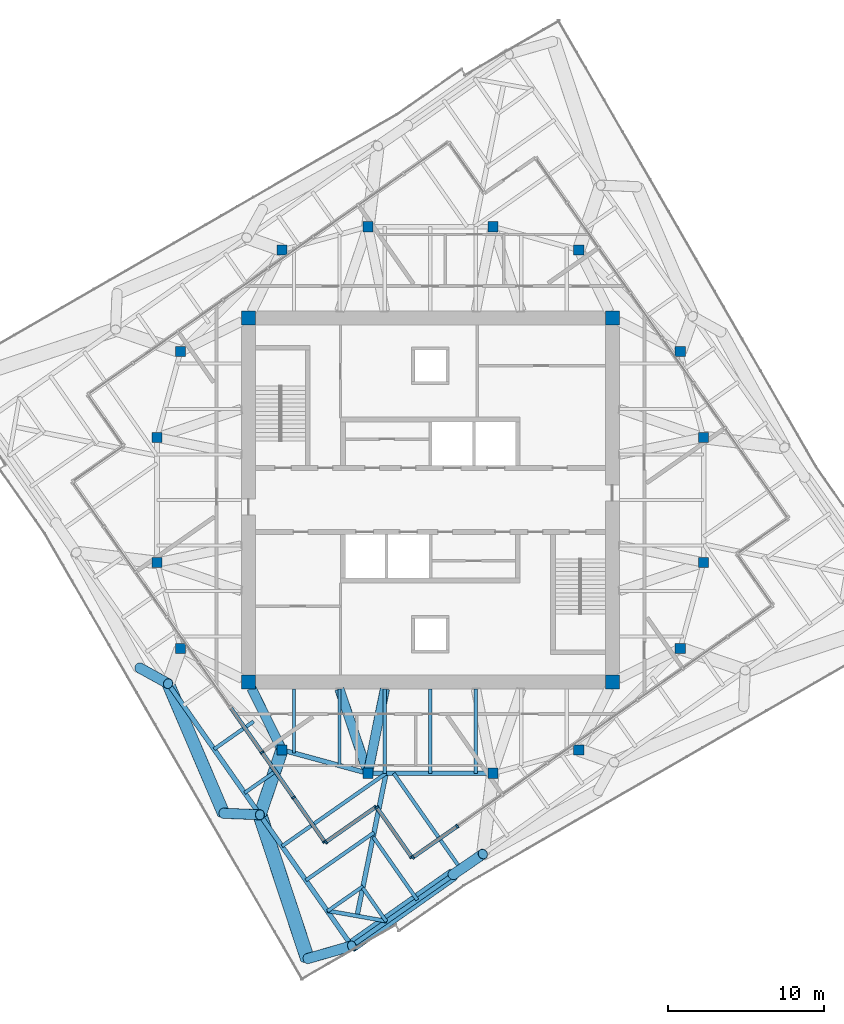
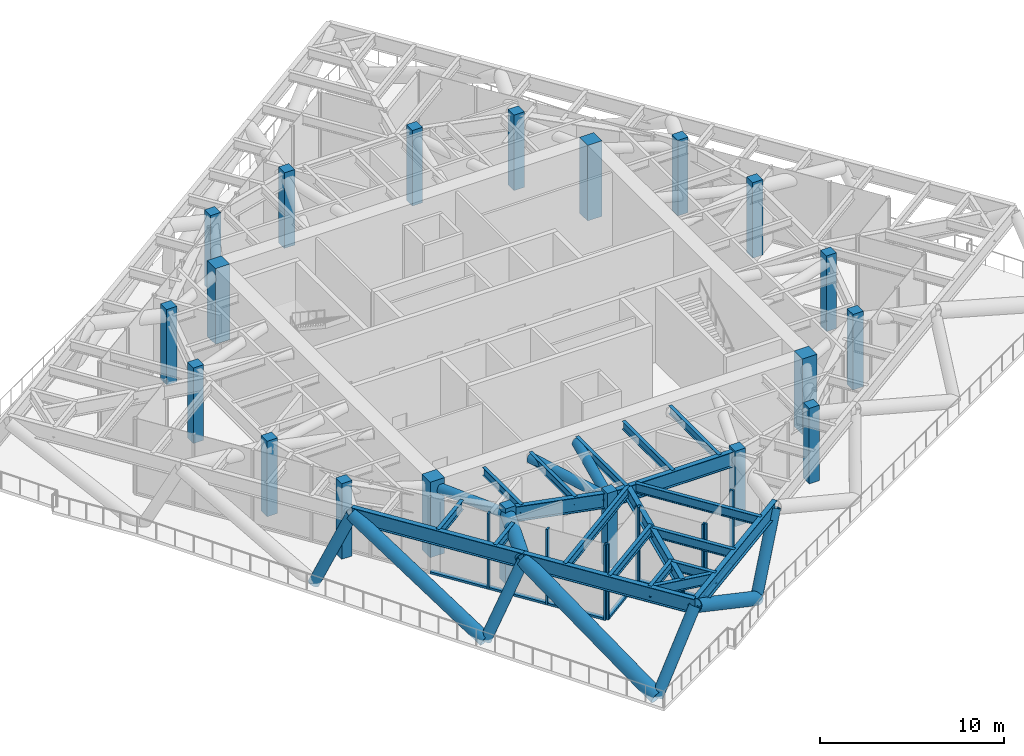
# One storey, part 1 of 16: 26 members, 20 beams, 20 columns, 4 elements without a shape of their own.
"""IFC4 building model written with IfcOpenShell, lengths in metres."""

from ifc_helpers import new_model, si_unit, direction, frame, origin, origin_2d, place, context, subcontext, project, spatial, rectangle, hollow_circle, i_section, extrude, material, material_profile, profile_set, type_object, element, aggregate, save


model = new_model("IFC4")

# Units and contexts
model_context = context("Model", 3, precision=1e-05, world=origin(), true_north=direction((0.0, 1.0)))
body_context = subcontext(model_context, "Body", "Model", "MODEL_VIEW")
ifc_project = project(units=[si_unit("LENGTHUNIT", "METRE"), si_unit("AREAUNIT", "SQUARE_METRE"), si_unit("VOLUMEUNIT", "CUBIC_METRE"), si_unit("PLANEANGLEUNIT", "RADIAN"), si_unit("MASSUNIT", "GRAM", prefix="KILO")], contexts=[model_context])

# Site, building, storey
site_placement = place(None, origin())
site = spatial("IfcSite", under=ifc_project, at=site_placement, CompositionType="ELEMENT")
building_placement = place(site_placement, origin())
building = spatial("IfcBuilding", under=site, at=building_placement, Name="Torsade Residences", CompositionType="ELEMENT")
storey_placement = place(building_placement, frame((0.0, 0.0, 235.39990234375)))
storey = spatial("IfcBuildingStorey", under=building, at=storey_placement, Name="L65", CompositionType="ELEMENT", Elevation=235.39990234375)

# Columns
ifc_material_1 = material(Name="Concrete 80 MPa", Category="concrete")
ifc_material_profile_1 = material_profile(ifc_material_1, rectangle(XDim=0.89990234375, YDim=0.89990234375, at=origin_2d()), Name="RC 900x900")
ifc_profile_set_1 = profile_set([ifc_material_profile_1], Name="Concrete 80 MPa")
column_type_1 = type_object("IfcColumnType", Name="CORE CORNER COLUMN RC 900x900", PredefinedType="COLUMN", material=ifc_profile_set_1)
for number, where, z_axis, x_axis, name in (
    (1, (28.35009765625, 18.35009765625, 0.0), (0.0, 0.0, 1.0), (1.0, 0.0, 0.0), "Core corner column CC1 L65"),
    (2, (51.64990234375, 18.35009765625, 0.0), (0.0, 0.0, 1.0), (1.0, 0.0, 0.0), "Core corner column CC2 L65"),
    (3, (51.64990234375, 41.64990234375, 0.0), (0.0, 0.0, 1.0), (1.0, 0.0, 0.0), "Core corner column CC3 L65"),
    (4, (28.35009765625, 41.64990234375, 0.0), (0.0, 0.0, 1.0), (1.0, 0.0, 0.0), "Core corner column CC4 L65"),
):
    element("IfcColumn", number, at=place(storey_placement, frame(where, z_axis=z_axis, x_axis=x_axis)), inside=storey, type_object=column_type_1, Name=name, PredefinedType="COLUMN", context=body_context, shape_type="SweptSolid", body=[
        extrude(rectangle(XDim=0.89990234375, YDim=0.89990234375, at=origin_2d()), origin(), (0.0, 0.0, 1.0), 5.0),
    ])
ifc_material_2 = material(Name="Concrete 80 MPa", Category="concrete")
ifc_material_profile_2 = material_profile(ifc_material_2, rectangle(XDim=0.64990234375, YDim=0.64990234375, at=origin_2d()), Name="RC 650x650")
ifc_profile_set_2 = profile_set([ifc_material_profile_2], Name="Concrete 80 MPa")
column_type_2 = type_object("IfcColumnType", Name="INNER RING COLUMN RC 650x650", PredefinedType="COLUMN", material=ifc_profile_set_2)
for number, where, z_axis, x_axis, name in (
    (5, (57.5, 26.0, 0.0), (0.0, 0.0, 1.0), (1.0, 0.0, 0.0), "Inner ring column IR01 L65"),
    (6, (57.5, 34.0, 0.0), (0.0, 0.0, 1.0), (1.0, 0.0, 0.0), "Inner ring column IR02 L65"),
    (7, (56.0, 39.5, 0.0), (0.0, 0.0, 1.0), (1.0, 0.0, 0.0), "Inner ring column IR03 L65"),
    (8, (49.5, 46.0, 0.0), (0.0, 0.0, 1.0), (1.0, 0.0, 0.0), "Inner ring column IR04 L65"),
    (9, (44.0, 47.5, 0.0), (0.0, 0.0, 1.0), (1.0, 0.0, 0.0), "Inner ring column IR05 L65"),
    (10, (36.0, 47.5, 0.0), (0.0, 0.0, 1.0), (1.0, 0.0, 0.0), "Inner ring column IR06 L65"),
    (11, (30.5, 46.0, 0.0), (0.0, 0.0, 1.0), (1.0, 0.0, 0.0), "Inner ring column IR07 L65"),
    (12, (24.0, 39.5, 0.0), (0.0, 0.0, 1.0), (1.0, 0.0, 0.0), "Inner ring column IR08 L65"),
    (13, (22.5, 34.0, 0.0), (0.0, 0.0, 1.0), (1.0, 0.0, 0.0), "Inner ring column IR09 L65"),
    (14, (22.5, 26.0, 0.0), (0.0, 0.0, 1.0), (1.0, 0.0, 0.0), "Inner ring column IR10 L65"),
    (15, (24.0, 20.5, 0.0), (0.0, 0.0, 1.0), (1.0, 0.0, 0.0), "Inner ring column IR11 L65"),
    (16, (30.5, 14.0, 0.0), (0.0, 0.0, 1.0), (1.0, 0.0, 0.0), "Inner ring column IR12 L65"),
    (17, (36.0, 12.5, 0.0), (0.0, 0.0, 1.0), (1.0, 0.0, 0.0), "Inner ring column IR13 L65"),
    (18, (44.0, 12.5, 0.0), (0.0, 0.0, 1.0), (1.0, 0.0, 0.0), "Inner ring column IR14 L65"),
    (19, (49.5, 14.0, 0.0), (0.0, 0.0, 1.0), (1.0, 0.0, 0.0), "Inner ring column IR15 L65"),
    (20, (56.0, 20.5, 0.0), (0.0, 0.0, 1.0), (1.0, 0.0, 0.0), "Inner ring column IR16 L65"),
):
    element("IfcColumn", number, at=place(storey_placement, frame(where, z_axis=z_axis, x_axis=x_axis)), inside=storey, type_object=column_type_2, Name=name, PredefinedType="COLUMN", context=body_context, shape_type="SweptSolid", body=[
        extrude(rectangle(XDim=0.64990234375, YDim=0.64990234375, at=origin_2d()), origin(), (0.0, 0.0, 1.0), 5.0),
    ])

# Beams
ifc_material_3 = material(Name="Steel grade 300", Category="steel")
ifc_material_profile_3 = material_profile(ifc_material_3, i_section(OverallWidth=0.300048828125, OverallDepth=0.89990234375, WebThickness=0.011962890625, FlangeThickness=0.02490234375, at=origin_2d()), Name="900WB175")
ifc_profile_set_3 = profile_set([ifc_material_profile_3], Name="Steel grade 300")
beam_type_1 = type_object("IfcBeamType", Name="CORNER GIRDER 900WB175", PredefinedType="BEAM", material=ifc_profile_set_3)
beam_1_placement = place(storey_placement, frame((35.303466796875, 3.364013671875, 4.400146484375), z_axis=(0.199584461589, 0.979880626756, 0.0), x_axis=(-0.979880626756, 0.199584461589, 0.0)))
element("IfcBeam", 21, at=beam_1_placement, inside=storey, type_object=beam_type_1, Name="Corner girder 01 L66", PredefinedType="BEAM", context=body_context, shape_type="SweptSolid", body=[
    extrude(i_section(OverallWidth=0.300048828125, OverallDepth=0.89990234375, WebThickness=0.011962890625, FlangeThickness=0.02490234375, at=origin_2d()), origin(), (0.0, 0.0, 1.0), 9.323486328125),
])
ifc_material_4 = material(Name="Steel grade 300", Category="steel")
ifc_material_profile_4 = material_profile(ifc_material_4, i_section(OverallWidth=0.25, OverallDepth=0.699951171875, WebThickness=0.010009765625, FlangeThickness=0.02001953125, at=origin_2d()), Name="700WB130")
ifc_profile_set_4 = profile_set([ifc_material_profile_4], Name="Steel grade 300")
beam_type_2 = type_object("IfcBeamType", Name="CORNER TRIMMER 700WB130", PredefinedType="BEAM", material=ifc_profile_set_4)
beam_2_placement = place(storey_placement, frame((37.21826171875, 3.0263671875, 4.5), z_axis=(-0.984808196894, 0.173645660267, 0.0), x_axis=(-0.173645660267, -0.984808196894, 0.0)))
element("IfcBeam", 22, at=beam_2_placement, inside=storey, type_object=beam_type_2, Name="Corner trimmer 01 L66", PredefinedType="BEAM", context=body_context, shape_type="SweptSolid", body=[
    extrude(i_section(OverallWidth=0.25, OverallDepth=0.699951171875, WebThickness=0.010009765625, FlangeThickness=0.02001953125, at=origin_2d()), origin(), (0.0, 0.0, 1.0), 3.888916015625),
])

# Curtain wall, members
ifc_material_5 = material(Name="Aluminium and glass", Category="aluminium")
curtain_wall_type = type_object("IfcCurtainWallType", Name="TRANSFER LEVEL CURTAIN WALL HIGH ZONE", PredefinedType="NOTDEFINED", material=ifc_material_5)
curtain_wall_1_placement = place(storey_placement, origin())
curtain_wall_1 = element("IfcCurtainWall", 23, at=curtain_wall_1_placement, inside=storey, type_object=curtain_wall_type, Name="Curtain wall L65 face 1", PredefinedType="NOTDEFINED")
ifc_material_6 = material(Name="Aluminium mullion", Category="aluminium")
ifc_material_profile_5 = material_profile(ifc_material_6, rectangle(XDim=0.25, YDim=0.1201171875, at=origin_2d()), Name="HIGH ZONE TRANSFER CURTAIN WALL MULLION 250x120")
ifc_profile_set_5 = profile_set([ifc_material_profile_5], Name="Aluminium mullion")
member_type_1 = type_object("IfcMemberType", Name="HIGH ZONE TRANSFER CURTAIN WALL MULLION 250x120", PredefinedType="MULLION", material=ifc_profile_set_5)
member_1_placement = place(storey_placement, frame((38.880859375, 7.120361328125, 0.0), z_axis=(0.0, 0.0, 1.0), x_axis=(-0.57357645894, 0.819152028472, 0.0)))
member_1 = element("IfcMember", 24, at=member_1_placement, type_object=member_type_1, Name="Mullion 1", PredefinedType="MULLION", context=body_context, shape_type="SweptSolid", body=[
    extrude(rectangle(XDim=0.25, YDim=0.1201171875, at=origin_2d()), origin(), (0.0, 0.0, 1.0), 5.0),
])
member_2_placement = place(storey_placement, frame((41.71923828125, 9.107666015625, 0.0), z_axis=(0.0, 0.0, 1.0), x_axis=(-0.57357645894, 0.819152028472, 0.0)))
member_2 = element("IfcMember", 25, at=member_2_placement, type_object=member_type_1, Name="Mullion 2", PredefinedType="MULLION", context=body_context, shape_type="SweptSolid", body=[
    extrude(rectangle(XDim=0.25, YDim=0.1201171875, at=origin_2d()), origin(), (0.0, 0.0, 1.0), 5.0),
])

curtain_wall_2_placement = place(storey_placement, origin())
curtain_wall_2 = element("IfcCurtainWall", 26, at=curtain_wall_2_placement, inside=storey, type_object=curtain_wall_type, Name="Curtain wall L65 face 10", PredefinedType="NOTDEFINED")
member_3_placement = place(storey_placement, frame((29.217041015625, 13.84326171875, 0.0), z_axis=(0.0, 0.0, 1.0), x_axis=(0.819152028472, 0.57357645894, 0.0)))
member_3 = element("IfcMember", 27, at=member_3_placement, type_object=member_type_1, Name="Mullion 7", PredefinedType="MULLION", context=body_context, shape_type="SweptSolid", body=[
    extrude(rectangle(XDim=0.25, YDim=0.1201171875, at=origin_2d()), origin(), (0.0, 0.0, 1.0), 5.0),
])
member_4_placement = place(storey_placement, frame((31.239013671875, 10.955810546875, 0.0), z_axis=(0.0, 0.0, 1.0), x_axis=(0.819152028472, 0.57357645894, 0.0)))
member_4 = element("IfcMember", 28, at=member_4_placement, type_object=member_type_1, Name="Mullion 8", PredefinedType="MULLION", context=body_context, shape_type="SweptSolid", body=[
    extrude(rectangle(XDim=0.25, YDim=0.1201171875, at=origin_2d()), origin(), (0.0, 0.0, 1.0), 5.0),
])
member_5_placement = place(storey_placement, frame((33.226318359375, 8.117431640625, 0.0), z_axis=(0.0, 0.0, 1.0), x_axis=(0.819152028472, 0.57357645894, 0.0)))
member_5 = element("IfcMember", 29, at=member_5_placement, type_object=member_type_1, Name="Mullion 9", PredefinedType="MULLION", context=body_context, shape_type="SweptSolid", body=[
    extrude(rectangle(XDim=0.25, YDim=0.1201171875, at=origin_2d()), origin(), (0.0, 0.0, 1.0), 5.0),
])

curtain_wall_3_placement = place(storey_placement, origin())
curtain_wall_3 = element("IfcCurtainWall", 30, at=curtain_wall_3_placement, inside=storey, type_object=curtain_wall_type, Name="Curtain wall L65 face 11", PredefinedType="NOTDEFINED")
member_6_placement = place(storey_placement, frame((33.309814453125, 8.1025390625, 0.0), z_axis=(0.0, 0.0, 1.0), x_axis=(-0.573576332112, 0.819152117278, 0.0)))
member_6 = element("IfcMember", 31, at=member_6_placement, type_object=member_type_1, Name="Mullion 1", PredefinedType="MULLION", context=body_context, shape_type="SweptSolid", body=[
    extrude(rectangle(XDim=0.25, YDim=0.1201171875, at=origin_2d()), origin(), (0.0, 0.0, 1.0), 5.0),
])
member_7_placement = place(storey_placement, frame((36.48828125, 10.328125, 0.0), z_axis=(0.0, 0.0, 1.0), x_axis=(-0.573576332112, 0.819152117278, 0.0)))
member_7 = element("IfcMember", 32, at=member_7_placement, type_object=member_type_1, Name="Mullion 2", PredefinedType="MULLION", context=body_context, shape_type="SweptSolid", body=[
    extrude(rectangle(XDim=0.25, YDim=0.1201171875, at=origin_2d()), origin(), (0.0, 0.0, 1.0), 5.0),
])

curtain_wall_4_placement = place(storey_placement, origin())
curtain_wall_4 = element("IfcCurtainWall", 33, at=curtain_wall_4_placement, inside=storey, type_object=curtain_wall_type, Name="Curtain wall L65 face 12", PredefinedType="NOTDEFINED")
member_8_placement = place(storey_placement, frame((36.57177734375, 10.3134765625, 0.0), z_axis=(0.0, 0.0, 1.0), x_axis=(0.819151999811, 0.573576499872, 0.0)))
member_8 = element("IfcMember", 34, at=member_8_placement, type_object=member_type_1, Name="Mullion 1", PredefinedType="MULLION", context=body_context, shape_type="SweptSolid", body=[
    extrude(rectangle(XDim=0.25, YDim=0.1201171875, at=origin_2d()), origin(), (0.0, 0.0, 1.0), 5.0),
])
member_9_placement = place(storey_placement, frame((38.79736328125, 7.135009765625, 0.0), z_axis=(0.0, 0.0, 1.0), x_axis=(0.819151999811, 0.573576499872, 0.0)))
member_9 = element("IfcMember", 35, at=member_9_placement, type_object=member_type_1, Name="Mullion 2", PredefinedType="MULLION", context=body_context, shape_type="SweptSolid", body=[
    extrude(rectangle(XDim=0.25, YDim=0.1201171875, at=origin_2d()), origin(), (0.0, 0.0, 1.0), 5.0),
])

# Member
ifc_material_7 = material(Name="Aluminium transom", Category="aluminium")
ifc_material_profile_6 = material_profile(ifc_material_7, rectangle(XDim=0.25, YDim=0.139892578125, at=origin_2d()), Name="HIGH ZONE TRANSFER CURTAIN WALL TRANSOM 250x140")
ifc_profile_set_6 = profile_set([ifc_material_profile_6], Name="Aluminium transom")
member_type_2 = type_object("IfcMemberType", Name="HIGH ZONE TRANSFER CURTAIN WALL TRANSOM 250x140", PredefinedType="USERDEFINED", material=ifc_profile_set_6)
member_10_placement = place(storey_placement, frame((38.929931640625, 7.15478515625, 0.070068359375), z_axis=(0.819190772146, 0.573521123265, 0.0), x_axis=(-0.573521123265, 0.819190772146, 0.0)))
member_10 = element("IfcMember", 36, at=member_10_placement, type_object=member_type_2, Name="Transom 1.1", ObjectType="TRANSOM", PredefinedType="USERDEFINED", context=body_context, shape_type="SweptSolid", body=[
    extrude(rectangle(XDim=0.25, YDim=0.139892578125, at=origin_2d()), origin(), (0.0, 0.0, 1.0), 3.344970703125),
])

aggregate(curtain_wall_1, [member_1, member_2, member_10])

member_11_placement = place(storey_placement, frame((27.229736328125, 16.681640625, 0.070068359375), z_axis=(0.573534524129, -0.819181389945, 0.0), x_axis=(0.819181389945, 0.573534524129, 0.0)))
member_11 = element("IfcMember", 37, at=member_11_placement, type_object=member_type_2, Name="Transom 6.1", ObjectType="TRANSOM", PredefinedType="USERDEFINED", context=body_context, shape_type="SweptSolid", body=[
    extrude(rectangle(XDim=0.25, YDim=0.139892578125, at=origin_2d()), origin(), (0.0, 0.0, 1.0), 3.405029296875),
])

member_12_placement = place(storey_placement, frame((29.25146484375, 13.794189453125, 0.070068359375), z_axis=(0.573582636552, -0.819147702826, 0.0), x_axis=(0.819147702826, 0.573582636552, 0.0)))
member_12 = element("IfcMember", 38, at=member_12_placement, type_object=member_type_2, Name="Transom 7.1", ObjectType="TRANSOM", PredefinedType="USERDEFINED", context=body_context, shape_type="SweptSolid", body=[
    extrude(rectangle(XDim=0.25, YDim=0.139892578125, at=origin_2d()), origin(), (0.0, 0.0, 1.0), 3.405029296875),
])

member_13_placement = place(storey_placement, frame((31.2734375, 10.906494140625, 0.070068359375), z_axis=(0.573555415158, -0.819166763085, 0.0), x_axis=(0.819166763085, 0.573555415158, 0.0)))
member_13 = element("IfcMember", 39, at=member_13_placement, type_object=member_type_2, Name="Transom 8.1", ObjectType="TRANSOM", PredefinedType="USERDEFINED", context=body_context, shape_type="SweptSolid", body=[
    extrude(rectangle(XDim=0.25, YDim=0.139892578125, at=origin_2d()), origin(), (0.0, 0.0, 1.0), 3.344970703125),
])

aggregate(curtain_wall_2, [member_3, member_4, member_5, member_11, member_12, member_13])

member_14_placement = place(storey_placement, frame((33.359130859375, 8.136962890625, 0.070068359375), z_axis=(0.8191251379, 0.573614860738, 0.0), x_axis=(-0.573614860738, 0.8191251379, 0.0)))
member_14 = element("IfcMember", 40, at=member_14_placement, type_object=member_type_2, Name="Transom 1.1", ObjectType="TRANSOM", PredefinedType="USERDEFINED", context=body_context, shape_type="SweptSolid", body=[
    extrude(rectangle(XDim=0.25, YDim=0.139892578125, at=origin_2d()), origin(), (0.0, 0.0, 1.0), 3.760009765625),
])

aggregate(curtain_wall_3, [member_6, member_7, member_14])

member_15_placement = place(storey_placement, frame((36.606201171875, 10.26416015625, 0.070068359375), z_axis=(0.573614860738, -0.8191251379, 0.0), x_axis=(0.8191251379, 0.573614860738, 0.0)))
member_15 = element("IfcMember", 41, at=member_15_placement, type_object=member_type_2, Name="Transom 1.1", ObjectType="TRANSOM", PredefinedType="USERDEFINED", context=body_context, shape_type="SweptSolid", body=[
    extrude(rectangle(XDim=0.25, YDim=0.139892578125, at=origin_2d()), origin(), (0.0, 0.0, 1.0), 3.760009765625),
])

aggregate(curtain_wall_4, [member_8, member_9, member_15])

# Beams
ifc_material_8 = material(Name="Steel grade 300", Category="steel")
ifc_material_profile_7 = material_profile(ifc_material_8, i_section(OverallWidth=0.208984375, OverallDepth=0.528076171875, WebThickness=0.009521484375, FlangeThickness=0.01318359375, FilletRadius=0.013916015625, at=origin_2d()), Name="530UB82.0")
ifc_profile_set_7 = profile_set([ifc_material_profile_7], Name="Steel grade 300")
beam_type_3 = type_object("IfcBeamType", Name="INNER FLOOR BEAM 530UB82.0", PredefinedType="JOIST", material=ifc_profile_set_7)
for number, where, z_axis, x_axis, name in (
    (42, (42.91259765625, 17.89990234375, 4.586181640625), (0.0, -1.0, 0.0), (1.0, 0.0, 0.0), "Inner floor beam IS03 L66"),
    (43, (40.0, 17.89990234375, 4.586181640625), (0.0, -1.0, 0.0), (1.0, 0.0, 0.0), "Inner floor beam IS04 L66"),
    (44, (37.08740234375, 17.89990234375, 4.586181640625), (0.0, -1.0, 0.0), (1.0, 0.0, 0.0), "Inner floor beam IS05 L66"),
):
    element("IfcBeam", number, at=place(storey_placement, frame(where, z_axis=z_axis, x_axis=x_axis)), inside=storey, type_object=beam_type_3, Name=name, PredefinedType="JOIST", context=body_context, shape_type="SweptSolid", body=[
        extrude(i_section(OverallWidth=0.208984375, OverallDepth=0.528076171875, WebThickness=0.009521484375, FlangeThickness=0.01318359375, FilletRadius=0.013916015625, at=origin_2d()), origin(), (0.0, 0.0, 1.0), 5.39990234375),
    ])
beam_3_placement = place(storey_placement, frame((34.175048828125, 17.89990234375, 4.586181640625), z_axis=(0.0, -1.0, 0.0), x_axis=(1.0, 0.0, 0.0)))
element("IfcBeam", 45, at=beam_3_placement, inside=storey, type_object=beam_type_3, Name="Inner floor beam IS06 L66", PredefinedType="JOIST", context=body_context, shape_type="SweptSolid", body=[
    extrude(i_section(OverallWidth=0.208984375, OverallDepth=0.528076171875, WebThickness=0.009521484375, FlangeThickness=0.01318359375, FilletRadius=0.013916015625, at=origin_2d()), origin(), (0.0, 0.0, 1.0), 4.902099609375),
])
beam_4_placement = place(storey_placement, frame((31.262451171875, 17.89990234375, 4.586181640625), z_axis=(0.0, -1.0, 0.0), x_axis=(1.0, 0.0, 0.0)))
element("IfcBeam", 46, at=beam_4_placement, inside=storey, type_object=beam_type_3, Name="Inner floor beam IS07 L66", PredefinedType="JOIST", context=body_context, shape_type="SweptSolid", body=[
    extrude(i_section(OverallWidth=0.208984375, OverallDepth=0.528076171875, WebThickness=0.009521484375, FlangeThickness=0.01318359375, FilletRadius=0.013916015625, at=origin_2d()), origin(), (0.0, 0.0, 1.0), 4.10791015625),
])
ifc_material_9 = material(Name="Steel grade 300", Category="steel")
ifc_material_profile_8 = material_profile(ifc_material_9, i_section(OverallWidth=0.300048828125, OverallDepth=1.0, WebThickness=0.01611328125, FlangeThickness=0.028076171875, at=origin_2d()), Name="1000WB215")
ifc_profile_set_8 = profile_set([ifc_material_profile_8], Name="Steel grade 300")
beam_type_4 = type_object("IfcBeamType", Name="RING GIRDER 1000WB215", PredefinedType="BEAM", material=ifc_profile_set_8)
beam_5_placement = place(storey_placement, frame((30.5, 14.0, 4.35009765625), z_axis=(0.964763821238, -0.263117405792, 0.0), x_axis=(0.263117405792, 0.964763821238, 0.0)))
element("IfcBeam", 47, at=beam_5_placement, inside=storey, type_object=beam_type_4, Name="Ring girder IR12 L66", PredefinedType="BEAM", context=body_context, shape_type="SweptSolid", body=[
    extrude(i_section(OverallWidth=0.300048828125, OverallDepth=1.0, WebThickness=0.01611328125, FlangeThickness=0.028076171875, at=origin_2d()), origin(), (0.0, 0.0, 1.0), 5.700927734375),
])
beam_6_placement = place(storey_placement, frame((36.0, 12.5, 4.35009765625), z_axis=(1.0, 0.0, 0.0), x_axis=(0.0, 1.0, 0.0)))
element("IfcBeam", 48, at=beam_6_placement, inside=storey, type_object=beam_type_4, Name="Ring girder IR13 L66", PredefinedType="BEAM", context=body_context, shape_type="SweptSolid", body=[
    extrude(i_section(OverallWidth=0.300048828125, OverallDepth=1.0, WebThickness=0.01611328125, FlangeThickness=0.028076171875, at=origin_2d()), origin(), (0.0, 0.0, 1.0), 8.0),
])
ifc_material_10 = material(Name="Steel grade 300", Category="steel")
ifc_material_profile_9 = material_profile(ifc_material_10, i_section(OverallWidth=0.22900390625, OverallDepth=0.612060546875, WebThickness=0.011962890625, FlangeThickness=0.01953125, FilletRadius=0.013916015625, at=origin_2d()), Name="610UB125")
ifc_profile_set_9 = profile_set([ifc_material_profile_9], Name="Steel grade 300")
beam_type_5 = type_object("IfcBeamType", Name="SECONDARY BEAM 610UB125", PredefinedType="JOIST", material=ifc_profile_set_9)
beam_7_placement = place(storey_placement, frame((37.184326171875, 3.00244140625, 4.544189453125), z_axis=(-0.573592685254, 0.819140666445, 0.0), x_axis=(-0.819140666445, -0.573592685254, 0.0)))
element("IfcBeam", 49, at=beam_7_placement, inside=storey, type_object=beam_type_5, Name="Floor beam FS01 L66", PredefinedType="JOIST", context=body_context, shape_type="SweptSolid", body=[
    extrude(i_section(OverallWidth=0.22900390625, OverallDepth=0.612060546875, WebThickness=0.011962890625, FlangeThickness=0.01953125, FilletRadius=0.013916015625, at=origin_2d()), origin(), (0.0, 0.0, 1.0), 2.639892578125),
])
beam_8_placement = place(storey_placement, frame((39.163818359375, 4.388671875, 4.544189453125), z_axis=(-0.573575295634, 0.819152843027, 0.0), x_axis=(-0.819152843027, -0.573575295634, 0.0)))
element("IfcBeam", 50, at=beam_8_placement, inside=storey, type_object=beam_type_5, Name="Floor beam FS02 L66", PredefinedType="JOIST", context=body_context, shape_type="SweptSolid", body=[
    extrude(i_section(OverallWidth=0.22900390625, OverallDepth=0.612060546875, WebThickness=0.011962890625, FlangeThickness=0.01953125, FilletRadius=0.013916015625, at=origin_2d()), origin(), (0.0, 0.0, 1.0), 4.931884765625),
])
beam_9_placement = place(storey_placement, frame((41.962646484375, 6.348388671875, 4.544189453125), z_axis=(-0.573573614851, 0.819154019917, 0.0), x_axis=(-0.819154019917, -0.573573614851, 0.0)))
element("IfcBeam", 51, at=beam_9_placement, inside=storey, type_object=beam_type_5, Name="Floor beam FS03 L66", PredefinedType="JOIST", context=body_context, shape_type="SweptSolid", body=[
    extrude(i_section(OverallWidth=0.22900390625, OverallDepth=0.612060546875, WebThickness=0.011962890625, FlangeThickness=0.01953125, FilletRadius=0.013916015625, at=origin_2d()), origin(), (0.0, 0.0, 1.0), 7.509765625),
])
beam_10_placement = place(storey_placement, frame((26.14697265625, 14.04345703125, 4.544189453125), z_axis=(0.819135534955, 0.573600013401, 0.0), x_axis=(-0.573600013401, 0.819135534955, 0.0)))
element("IfcBeam", 52, at=beam_10_placement, inside=storey, type_object=beam_type_5, Name="Floor beam FW08 L66", PredefinedType="JOIST", context=body_context, shape_type="SweptSolid", body=[
    extrude(i_section(OverallWidth=0.22900390625, OverallDepth=0.612060546875, WebThickness=0.011962890625, FlangeThickness=0.01953125, FilletRadius=0.013916015625, at=origin_2d()), origin(), (0.0, 0.0, 1.0), 3.09423828125),
])
beam_11_placement = place(storey_placement, frame((28.106689453125, 11.244873046875, 4.544189453125), z_axis=(0.819163087535, 0.573560664637, 0.0), x_axis=(-0.573560664637, 0.819163087535, 0.0)))
element("IfcBeam", 53, at=beam_11_placement, inside=storey, type_object=beam_type_5, Name="Floor beam FW09 L66", PredefinedType="JOIST", context=body_context, shape_type="SweptSolid", body=[
    extrude(i_section(OverallWidth=0.22900390625, OverallDepth=0.612060546875, WebThickness=0.011962890625, FlangeThickness=0.01953125, FilletRadius=0.013916015625, at=origin_2d()), origin(), (0.0, 0.0, 1.0), 2.3330078125),
])
beam_12_placement = place(storey_placement, frame((30.49658203125, 7.83154296875, 4.544189453125), z_axis=(0.819151588523, 0.573577087251, 0.0), x_axis=(-0.573577087251, 0.819151588523, 0.0)))
element("IfcBeam", 54, at=beam_12_placement, inside=storey, type_object=beam_type_5, Name="Floor beam FW10 L66", PredefinedType="JOIST", context=body_context, shape_type="SweptSolid", body=[
    extrude(i_section(OverallWidth=0.22900390625, OverallDepth=0.612060546875, WebThickness=0.011962890625, FlangeThickness=0.01953125, FilletRadius=0.013916015625, at=origin_2d()), origin(), (0.0, 0.0, 1.0), 8.13916015625),
])
beam_13_placement = place(storey_placement, frame((32.026123046875, 5.647216796875, 4.544189453125), z_axis=(0.819137197966, 0.573597638513, 0.0), x_axis=(-0.573597638513, 0.819137197966, 0.0)))
element("IfcBeam", 55, at=beam_13_placement, inside=storey, type_object=beam_type_5, Name="Floor beam FW11 L66", PredefinedType="JOIST", context=body_context, shape_type="SweptSolid", body=[
    extrude(i_section(OverallWidth=0.22900390625, OverallDepth=0.612060546875, WebThickness=0.011962890625, FlangeThickness=0.01953125, FilletRadius=0.013916015625, at=origin_2d()), origin(), (0.0, 0.0, 1.0), 5.328369140625),
])
beam_14_placement = place(storey_placement, frame((33.412353515625, 3.667724609375, 4.544189453125), z_axis=(0.819190669238, 0.573521270253, 0.0), x_axis=(-0.573521270253, 0.819190669238, 0.0)))
element("IfcBeam", 56, at=beam_14_placement, inside=storey, type_object=beam_type_5, Name="Floor beam FW12 L66", PredefinedType="JOIST", context=body_context, shape_type="SweptSolid", body=[
    extrude(i_section(OverallWidth=0.22900390625, OverallDepth=0.612060546875, WebThickness=0.011962890625, FlangeThickness=0.01953125, FilletRadius=0.013916015625, at=origin_2d()), origin(), (0.0, 0.0, 1.0), 2.780517578125),
])

# Members
ifc_material_11 = material(Name="Steel grade 450", Category="steel")
ifc_material_profile_10 = material_profile(ifc_material_11, hollow_circle(Radius=0.304931640625, WallThickness=0.01611328125, at=origin_2d()), Name="610.0x16.0CHS")
ifc_profile_set_10 = profile_set([ifc_material_profile_10], Name="Steel grade 450")
member_type_3 = type_object("IfcMemberType", Name="TRANSFER FLOOR BRACE 610.0x16.0CHS", PredefinedType="BRACE", material=ifc_profile_set_10)
member_16_placement = place(storey_placement, frame((30.5, 14.0, 4.35009765625), z_axis=(-0.443105036702, 0.896469701914, 0.0), x_axis=(-0.896469701914, -0.443105036702, 0.0)))
element("IfcMember", 57, at=member_16_placement, inside=storey, type_object=member_type_3, Name="Transfer floor brace TT7 top IR12C", PredefinedType="BRACE", context=body_context, shape_type="SweptSolid", body=[
    extrude(hollow_circle(Radius=0.304931640625, WallThickness=0.01611328125, at=origin_2d()), origin(), (0.0, 0.0, 1.0), 4.40234375),
])
member_17_placement = place(storey_placement, frame((36.0, 12.5, 4.35009765625), z_axis=(0.197387517864, 0.980201418973, 0.015599552377), x_axis=(-0.980320704809, 0.197411538983, 0.0)))
element("IfcMember", 58, at=member_17_placement, inside=storey, type_object=member_type_3, Name="Transfer floor brace TT7 top IR13IS05", PredefinedType="BRACE", context=body_context, shape_type="SweptSolid", body=[
    extrude(hollow_circle(Radius=0.304931640625, WallThickness=0.01611328125, at=origin_2d()), origin(), (0.0, 0.0, 1.0), 5.509033203125),
])
member_18_placement = place(storey_placement, frame((36.0, 12.5, 4.35009765625), z_axis=(-0.320133484365, 0.947252495944, 0.01507518214), x_axis=(-0.947360151124, -0.320169867513, 0.0)))
element("IfcMember", 59, at=member_18_placement, inside=storey, type_object=member_type_3, Name="Transfer floor brace TT7 top IR13IS06", PredefinedType="BRACE", context=body_context, shape_type="SweptSolid", body=[
    extrude(hollow_circle(Radius=0.304931640625, WallThickness=0.01611328125, at=origin_2d()), origin(), (0.0, 0.0, 1.0), 5.70068359375),
])
ifc_material_12 = material(Name="Steel grade 450", Category="steel")
ifc_material_profile_11 = material_profile(ifc_material_12, hollow_circle(Radius=0.406494140625, WallThickness=0.02490234375, at=origin_2d()), Name="813.0x25.0CHS")
ifc_profile_set_11 = profile_set([ifc_material_profile_11], Name="Steel grade 450")
member_type_4 = type_object("IfcMemberType", Name="TRANSFER FLOOR STRUT 813.0x25.0CHS", PredefinedType="STRUT", material=ifc_profile_set_11)
member_19_placement = place(storey_placement, frame((29.08642578125, 9.845458984375, 4.35009765625), z_axis=(0.322113167985, 0.946701170915, 0.0), x_axis=(-0.946701170915, 0.322113167985, 0.0)))
element("IfcMember", 60, at=member_19_placement, inside=storey, type_object=member_type_4, Name="Transfer floor strut TT7 top 16IR12", PredefinedType="STRUT", context=body_context, shape_type="SweptSolid", body=[
    extrude(hollow_circle(Radius=0.406494140625, WallThickness=0.02490234375, at=origin_2d()), origin(), (0.0, 0.0, 1.0), 4.388427734375),
])

# Beams
ifc_material_13 = material(Name="Steel grade 300", Category="steel")
ifc_material_profile_12 = material_profile(ifc_material_13, i_section(OverallWidth=0.300048828125, OverallDepth=1.0, WebThickness=0.01611328125, FlangeThickness=0.028076171875, at=origin_2d()), Name="1000WB215")
ifc_profile_set_12 = profile_set([ifc_material_profile_12], Name="Steel grade 300")
beam_type_6 = type_object("IfcBeamType", Name="TRANSFER TRUSS CHORD 1000WB215", PredefinedType="USERDEFINED", material=ifc_profile_set_12)
for number, where, z_axis, x_axis, name in (
    (61, (34.9658203125, 1.448974609375, 4.35009765625), (0.819150225126, 0.573579034377, 0.0), (-0.573579034377, 0.819150225126, 0.0), "Transfer truss TT7 top chord 01"),
    (62, (23.207275390625, 18.24169921875, 4.35009765625), (0.573579034377, -0.819150225126, 0.0), (0.819150225126, 0.573579034377, 0.0), "Transfer truss TT7 top chord 15"),
):
    element("IfcBeam", number, at=place(storey_placement, frame(where, z_axis=z_axis, x_axis=x_axis)), inside=storey, type_object=beam_type_6, Name=name, ObjectType="TRANSFER TRUSS CHORD", PredefinedType="USERDEFINED", context=body_context, shape_type="SweptSolid", body=[
        extrude(i_section(OverallWidth=0.300048828125, OverallDepth=1.0, WebThickness=0.01611328125, FlangeThickness=0.028076171875, at=origin_2d()), origin(), (0.0, 0.0, 1.0), 10.25),
    ])
beam_15_placement = place(storey_placement, frame((29.08642578125, 9.845458984375, 4.35009765625), z_axis=(0.573583825578, -0.819146870247, 0.0), x_axis=(0.819146870247, 0.573583825578, 0.0)))
element("IfcBeam", 63, at=beam_15_placement, inside=storey, type_object=beam_type_6, Name="Transfer truss TT7 top chord 16", ObjectType="TRANSFER TRUSS CHORD", PredefinedType="USERDEFINED", context=body_context, shape_type="SweptSolid", body=[
    extrude(i_section(OverallWidth=0.300048828125, OverallDepth=1.0, WebThickness=0.01611328125, FlangeThickness=0.028076171875, at=origin_2d()), origin(), (0.0, 0.0, 1.0), 10.250244140625),
])

# Members
ifc_material_14 = material(Name="Steel grade 450", Category="steel")
ifc_material_profile_13 = material_profile(ifc_material_14, hollow_circle(Radius=0.406494140625, WallThickness=0.02490234375, at=origin_2d()), Name="813.0x25.0CHS")
ifc_profile_set_13 = profile_set([ifc_material_profile_13], Name="Steel grade 450")
member_type_5 = type_object("IfcMemberType", Name="TRANSFER TRUSS DIAGONAL 813.0x25.0CHS", PredefinedType="BRACE", material=ifc_profile_set_13)
member_20_placement = place(storey_placement, frame((41.440185546875, 6.00537109375, -0.199951171875), z_axis=(-0.709028005159, -0.498985243044, 0.498290091336), x_axis=(0.575523960556, -0.817784917216, 0.0)))
element("IfcMember", 64, at=member_20_placement, inside=storey, type_object=member_type_5, Name="Transfer truss TT7 diagonal 01", PredefinedType="BRACE", context=body_context, shape_type="SweptSolid", body=[
    extrude(hollow_circle(Radius=0.406494140625, WallThickness=0.02490234375, at=origin_2d()), origin(), (0.0, 0.0, 1.0), 9.13134765625),
])
member_21_placement = place(storey_placement, frame((26.75537109375, 9.940185546875, -0.199951171875), z_axis=(-0.350957788383, 0.821139315929, 0.450065389259), x_axis=(-0.919533437776, -0.393011776937, 0.0)))
element("IfcMember", 65, at=member_21_placement, inside=storey, type_object=member_type_5, Name="Transfer truss TT7 diagonal 15", PredefinedType="BRACE", context=body_context, shape_type="SweptSolid", body=[
    extrude(hollow_circle(Radius=0.406494140625, WallThickness=0.02490234375, at=origin_2d()), origin(), (0.0, 0.0, 1.0), 10.10986328125),
])
ifc_material_15 = material(Name="Steel grade 450", Category="steel")
ifc_material_profile_14 = material_profile(ifc_material_15, hollow_circle(Radius=0.45703125, WallThickness=0.028076171875, at=origin_2d()), Name="914.0x28.0CHS")
ifc_profile_set_14 = profile_set([ifc_material_profile_14], Name="Steel grade 450")
member_type_6 = type_object("IfcMemberType", Name="TRANSFER TRUSS DIAGONAL 914.0x28.0CHS", PredefinedType="BRACE", material=ifc_profile_set_14)
member_22_placement = place(storey_placement, frame((32.13037109375, 0.63037109375, -0.199951171875), z_axis=(-0.283989674445, 0.859736145488, 0.424503975188), x_axis=(-0.94953764907, -0.313653077457, 0.0)))
element("IfcMember", 66, at=member_22_placement, inside=storey, type_object=member_type_6, Name="Transfer truss TT7 diagonal 16", PredefinedType="BRACE", context=body_context, shape_type="SweptSolid", body=[
    extrude(hollow_circle(Radius=0.45703125, WallThickness=0.028076171875, at=origin_2d()), origin(), (0.0, 0.0, 1.0), 10.718505859375),
])
ifc_material_16 = material(Name="Steel grade 450", Category="steel")
ifc_material_profile_15 = material_profile(ifc_material_16, hollow_circle(Radius=0.330078125, WallThickness=0.01806640625, at=origin_2d()), Name="660.0x18.0CHS")
ifc_profile_set_15 = profile_set([ifc_material_profile_15], Name="Steel grade 450")
member_type_7 = type_object("IfcMemberType", Name="TRANSFER TRUSS RAKING STRUT 660.0x18.0CHS", PredefinedType="STRUT", material=ifc_profile_set_15)
member_23_placement = place(storey_placement, frame((32.13037109375, 0.63037109375, -0.199951171875), z_axis=(0.522821549237, 0.150940300895, 0.838972379295), x_axis=(-0.277375067068, 0.960761714562, 0.0)))
element("IfcMember", 67, at=member_23_placement, inside=storey, type_object=member_type_7, Name="Transfer truss TT7 raking strut 01", PredefinedType="STRUT", context=body_context, shape_type="SweptSolid", body=[
    extrude(hollow_circle(Radius=0.330078125, WallThickness=0.01806640625, at=origin_2d()), origin(), (0.0, 0.0, 1.0), 5.42333984375),
])
member_24_placement = place(storey_placement, frame((41.440185546875, 6.00537109375, -0.199951171875), z_axis=(0.375855261451, 0.258686967294, 0.889839241319), x_axis=(-0.566955090442, 0.823748702835, 0.0)))
element("IfcMember", 68, at=member_24_placement, inside=storey, type_object=member_type_7, Name="Transfer truss TT7 raking strut 02", PredefinedType="STRUT", context=body_context, shape_type="SweptSolid", body=[
    extrude(hollow_circle(Radius=0.330078125, WallThickness=0.01806640625, at=origin_2d()), origin(), (0.0, 0.0, 1.0), 5.11328125),
])
member_25_placement = place(storey_placement, frame((21.38037109375, 19.25, -0.199951171875), z_axis=(0.364963622455, -0.201429875817, 0.908970604262), x_axis=(0.483207242049, 0.875506002967, 0.0)))
element("IfcMember", 69, at=member_25_placement, inside=storey, type_object=member_type_7, Name="Transfer truss TT7 raking strut 15", PredefinedType="STRUT", context=body_context, shape_type="SweptSolid", body=[
    extrude(hollow_circle(Radius=0.330078125, WallThickness=0.01806640625, at=origin_2d()), origin(), (0.0, 0.0, 1.0), 5.005615234375),
])
member_26_placement = place(storey_placement, frame((26.75537109375, 9.940185546875, -0.199951171875), z_axis=(0.455881583355, -0.018525560781, 0.88984761929), x_axis=(0.040603271334, 0.999175347152, 0.0)))
element("IfcMember", 70, at=member_26_placement, inside=storey, type_object=member_type_7, Name="Transfer truss TT7 raking strut 16", PredefinedType="STRUT", context=body_context, shape_type="SweptSolid", body=[
    extrude(hollow_circle(Radius=0.330078125, WallThickness=0.01806640625, at=origin_2d()), origin(), (0.0, 0.0, 1.0), 5.11328125),
])

save(model, "model.ifc")
